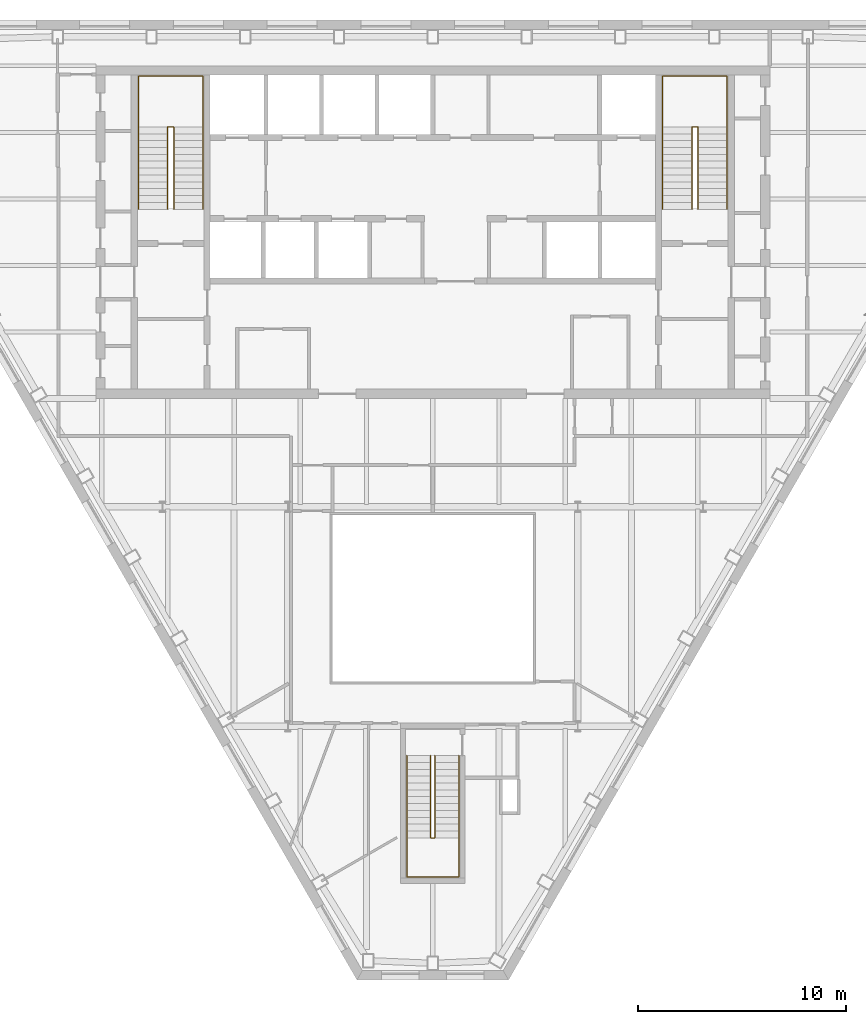
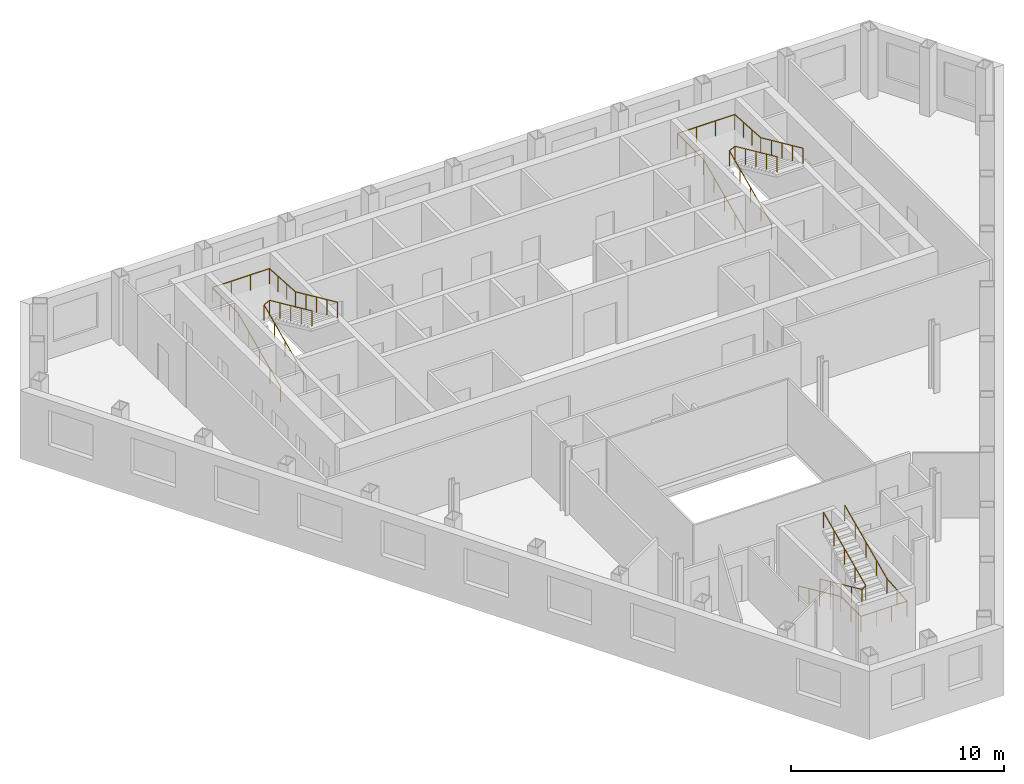
# One storey, part 11 of 11: 6 railings.
"""IFC4 building model written with IfcOpenShell, lengths in metres."""

from ifc_helpers import new_model, si_unit, direction, frame, origin, origin_2d, place, context, subcontext, project, spatial, circle, extrude, material, type_object, element, save


model = new_model("IFC4")

# Units and contexts
model_context = context("Model", 3, precision=1e-05, world=origin(), true_north=direction((0.0, 1.0)))
body_context = subcontext(model_context, "Body", "Model", "MODEL_VIEW")
ifc_project = project(units=[si_unit("LENGTHUNIT", "METRE"), si_unit("AREAUNIT", "SQUARE_METRE"), si_unit("VOLUMEUNIT", "CUBIC_METRE"), si_unit("PLANEANGLEUNIT", "RADIAN"), si_unit("MASSUNIT", "GRAM", prefix="KILO")], contexts=[model_context])

# Site, building, storey
site_placement = place(None, origin())
site = spatial("IfcSite", under=ifc_project, at=site_placement, CompositionType="ELEMENT")
building_placement = place(site_placement, origin())
building = spatial("IfcBuilding", under=site, at=building_placement, Name="Njiva Tower", CompositionType="ELEMENT")
storey_placement = place(building_placement, frame((0.0, 0.0, 208.2)))
storey = spatial("IfcBuildingStorey", under=building, at=storey_placement, Name="L46", CompositionType="ELEMENT", Elevation=208.2)

# Railings
ifc_material = material(Name="Stainless steel", Category="steel")
railing_type = type_object("IfcRailingType", Name="RL1 Stair handrail 900", PredefinedType="HANDRAIL", material=ifc_material)
railing_1_placement = place(storey_placement, frame((-14.15, 11.1, 0.15)))
element("IfcRailing", 1, at=railing_1_placement, inside=storey, type_object=railing_type, Name="Stair A handrail", PredefinedType="HANDRAIL", context=body_context, shape_type="SweptSolid", body=[
    extrude(circle(Radius=0.024, at=origin_2d()), frame((0.0, 0.0, 0.876), z_axis=(0.0, 0.910366477463, 0.413802944301), x_axis=(-1.0, 0.0, 0.0)), (0.0, 0.0, 1.0), 4.3499),
    extrude(circle(Radius=0.024, at=origin_2d()), frame((0.0, 3.96, 2.676), z_axis=(0.0, 1.0, 0.0), x_axis=(-1.0, 0.0, 0.0)), (0.0, 0.0, 1.0), 2.44),
    extrude(circle(Radius=0.024, at=origin_2d()), frame((0.0, 6.4, 2.676), z_axis=(1.0, 0.0, 0.0), x_axis=(0.0, 1.0, 0.0)), (0.0, 0.0, 1.0), 3.1),
    extrude(circle(Radius=0.024, at=origin_2d()), frame((3.1, 6.4, 2.676), z_axis=(0.0, -0.998115726137, 0.061359573328), x_axis=(1.0, 0.0, 0.0)), (0.0, 0.0, 1.0), 2.4446),
    extrude(circle(Radius=0.024, at=origin_2d()), frame((3.1, 3.96, 2.826), z_axis=(0.0, -0.910366477463, 0.413802944301), x_axis=(1.0, 0.0, 0.0)), (0.0, 0.0, 1.0), 4.3499),
    extrude(circle(Radius=0.021, at=origin_2d()), origin(), (0.0, 0.0, 1.0), 0.852),
    extrude(circle(Radius=0.021, at=origin_2d()), frame((0.0, 0.99, 0.45)), (0.0, 0.0, 1.0), 0.852),
    extrude(circle(Radius=0.021, at=origin_2d()), frame((0.0, 1.98, 0.9)), (0.0, 0.0, 1.0), 0.852),
    extrude(circle(Radius=0.021, at=origin_2d()), frame((0.0, 2.97, 1.35)), (0.0, 0.0, 1.0), 0.852),
    extrude(circle(Radius=0.021, at=origin_2d()), frame((0.0, 3.96, 1.8)), (0.0, 0.0, 1.0), 0.852),
    extrude(circle(Radius=0.021, at=origin_2d()), frame((0.0, 4.7733, 1.8)), (0.0, 0.0, 1.0), 0.852),
    extrude(circle(Radius=0.021, at=origin_2d()), frame((0.0, 5.5867, 1.8)), (0.0, 0.0, 1.0), 0.852),
    extrude(circle(Radius=0.021, at=origin_2d()), frame((0.0, 6.4, 1.8)), (0.0, 0.0, 1.0), 0.852),
    extrude(circle(Radius=0.021, at=origin_2d()), frame((1.0333, 6.4, 1.8)), (0.0, 0.0, 1.0), 0.852),
    extrude(circle(Radius=0.021, at=origin_2d()), frame((2.0667, 6.4, 1.8)), (0.0, 0.0, 1.0), 0.852),
    extrude(circle(Radius=0.021, at=origin_2d()), frame((3.1, 6.4, 1.8)), (0.0, 0.0, 1.0), 0.852),
    extrude(circle(Radius=0.021, at=origin_2d()), frame((3.1, 5.5867, 1.85)), (0.0, 0.0, 1.0), 0.852),
    extrude(circle(Radius=0.021, at=origin_2d()), frame((3.1, 4.7733, 1.9)), (0.0, 0.0, 1.0), 0.852),
    extrude(circle(Radius=0.021, at=origin_2d()), frame((3.1, 3.96, 1.95)), (0.0, 0.0, 1.0), 0.852),
    extrude(circle(Radius=0.021, at=origin_2d()), frame((3.1, 2.97, 2.4)), (0.0, 0.0, 1.0), 0.852),
    extrude(circle(Radius=0.021, at=origin_2d()), frame((3.1, 1.98, 2.85)), (0.0, 0.0, 1.0), 0.852),
    extrude(circle(Radius=0.021, at=origin_2d()), frame((3.1, 0.99, 3.3)), (0.0, 0.0, 1.0), 0.852),
    extrude(circle(Radius=0.021, at=origin_2d()), frame((3.1, 0.0, 3.75)), (0.0, 0.0, 1.0), 0.852),
])
railing_2_placement = place(storey_placement, frame((-12.75, 11.1, 0.15)))
element("IfcRailing", 2, at=railing_2_placement, inside=storey, type_object=railing_type, Name="Stair A handrail", PredefinedType="HANDRAIL", context=body_context, shape_type="SweptSolid", body=[
    extrude(circle(Radius=0.024, at=origin_2d()), frame((0.0, 0.0, 0.876), z_axis=(0.0, 0.910366477463, 0.413802944301), x_axis=(-1.0, 0.0, 0.0)), (0.0, 0.0, 1.0), 4.3499),
    extrude(circle(Radius=0.024, at=origin_2d()), frame((0.0, 3.96, 2.676), z_axis=(0.894427191, 0.0, 0.4472135955), x_axis=(0.0, 1.0, 0.0)), (0.0, 0.0, 1.0), 0.3354),
    extrude(circle(Radius=0.024, at=origin_2d()), frame((0.3, 3.96, 2.826), z_axis=(0.0, -0.910366477463, 0.413802944301), x_axis=(1.0, 0.0, 0.0)), (0.0, 0.0, 1.0), 4.3499),
    extrude(circle(Radius=0.021, at=origin_2d()), origin(), (0.0, 0.0, 1.0), 0.852),
    extrude(circle(Radius=0.021, at=origin_2d()), frame((0.0, 0.99, 0.45)), (0.0, 0.0, 1.0), 0.852),
    extrude(circle(Radius=0.021, at=origin_2d()), frame((0.0, 1.98, 0.9)), (0.0, 0.0, 1.0), 0.852),
    extrude(circle(Radius=0.021, at=origin_2d()), frame((0.0, 2.97, 1.35)), (0.0, 0.0, 1.0), 0.852),
    extrude(circle(Radius=0.021, at=origin_2d()), frame((0.0, 3.96, 1.8)), (0.0, 0.0, 1.0), 0.852),
    extrude(circle(Radius=0.021, at=origin_2d()), frame((0.3, 3.96, 1.95)), (0.0, 0.0, 1.0), 0.852),
    extrude(circle(Radius=0.021, at=origin_2d()), frame((0.3, 2.97, 2.4)), (0.0, 0.0, 1.0), 0.852),
    extrude(circle(Radius=0.021, at=origin_2d()), frame((0.3, 1.98, 2.85)), (0.0, 0.0, 1.0), 0.852),
    extrude(circle(Radius=0.021, at=origin_2d()), frame((0.3, 0.99, 3.3)), (0.0, 0.0, 1.0), 0.852),
    extrude(circle(Radius=0.021, at=origin_2d()), frame((0.3, 0.0, 3.75)), (0.0, 0.0, 1.0), 0.852),
])
railing_3_placement = place(storey_placement, frame((11.05, 11.1, 0.15)))
element("IfcRailing", 3, at=railing_3_placement, inside=storey, type_object=railing_type, Name="Stair B handrail", PredefinedType="HANDRAIL", context=body_context, shape_type="SweptSolid", body=[
    extrude(circle(Radius=0.024, at=origin_2d()), frame((0.0, 0.0, 0.876), z_axis=(0.0, 0.910366477463, 0.413802944301), x_axis=(-1.0, 0.0, 0.0)), (0.0, 0.0, 1.0), 4.3499),
    extrude(circle(Radius=0.024, at=origin_2d()), frame((0.0, 3.96, 2.676), z_axis=(0.0, 1.0, 0.0), x_axis=(-1.0, 0.0, 0.0)), (0.0, 0.0, 1.0), 2.44),
    extrude(circle(Radius=0.024, at=origin_2d()), frame((0.0, 6.4, 2.676), z_axis=(1.0, 0.0, 0.0), x_axis=(0.0, 1.0, 0.0)), (0.0, 0.0, 1.0), 3.1),
    extrude(circle(Radius=0.024, at=origin_2d()), frame((3.1, 6.4, 2.676), z_axis=(0.0, -0.998115726137, 0.061359573328), x_axis=(1.0, 0.0, 0.0)), (0.0, 0.0, 1.0), 2.4446),
    extrude(circle(Radius=0.024, at=origin_2d()), frame((3.1, 3.96, 2.826), z_axis=(0.0, -0.910366477463, 0.413802944301), x_axis=(1.0, 0.0, 0.0)), (0.0, 0.0, 1.0), 4.3499),
    extrude(circle(Radius=0.021, at=origin_2d()), origin(), (0.0, 0.0, 1.0), 0.852),
    extrude(circle(Radius=0.021, at=origin_2d()), frame((0.0, 0.99, 0.45)), (0.0, 0.0, 1.0), 0.852),
    extrude(circle(Radius=0.021, at=origin_2d()), frame((0.0, 1.98, 0.9)), (0.0, 0.0, 1.0), 0.852),
    extrude(circle(Radius=0.021, at=origin_2d()), frame((0.0, 2.97, 1.35)), (0.0, 0.0, 1.0), 0.852),
    extrude(circle(Radius=0.021, at=origin_2d()), frame((0.0, 3.96, 1.8)), (0.0, 0.0, 1.0), 0.852),
    extrude(circle(Radius=0.021, at=origin_2d()), frame((0.0, 4.7733, 1.8)), (0.0, 0.0, 1.0), 0.852),
    extrude(circle(Radius=0.021, at=origin_2d()), frame((0.0, 5.5867, 1.8)), (0.0, 0.0, 1.0), 0.852),
    extrude(circle(Radius=0.021, at=origin_2d()), frame((0.0, 6.4, 1.8)), (0.0, 0.0, 1.0), 0.852),
    extrude(circle(Radius=0.021, at=origin_2d()), frame((1.0333, 6.4, 1.8)), (0.0, 0.0, 1.0), 0.852),
    extrude(circle(Radius=0.021, at=origin_2d()), frame((2.0667, 6.4, 1.8)), (0.0, 0.0, 1.0), 0.852),
    extrude(circle(Radius=0.021, at=origin_2d()), frame((3.1, 6.4, 1.8)), (0.0, 0.0, 1.0), 0.852),
    extrude(circle(Radius=0.021, at=origin_2d()), frame((3.1, 5.5867, 1.85)), (0.0, 0.0, 1.0), 0.852),
    extrude(circle(Radius=0.021, at=origin_2d()), frame((3.1, 4.7733, 1.9)), (0.0, 0.0, 1.0), 0.852),
    extrude(circle(Radius=0.021, at=origin_2d()), frame((3.1, 3.96, 1.95)), (0.0, 0.0, 1.0), 0.852),
    extrude(circle(Radius=0.021, at=origin_2d()), frame((3.1, 2.97, 2.4)), (0.0, 0.0, 1.0), 0.852),
    extrude(circle(Radius=0.021, at=origin_2d()), frame((3.1, 1.98, 2.85)), (0.0, 0.0, 1.0), 0.852),
    extrude(circle(Radius=0.021, at=origin_2d()), frame((3.1, 0.99, 3.3)), (0.0, 0.0, 1.0), 0.852),
    extrude(circle(Radius=0.021, at=origin_2d()), frame((3.1, 0.0, 3.75)), (0.0, 0.0, 1.0), 0.852),
])
railing_4_placement = place(storey_placement, frame((12.45, 11.1, 0.15)))
element("IfcRailing", 4, at=railing_4_placement, inside=storey, type_object=railing_type, Name="Stair B handrail", PredefinedType="HANDRAIL", context=body_context, shape_type="SweptSolid", body=[
    extrude(circle(Radius=0.024, at=origin_2d()), frame((0.0, 0.0, 0.876), z_axis=(0.0, 0.910366477463, 0.413802944301), x_axis=(-1.0, 0.0, 0.0)), (0.0, 0.0, 1.0), 4.3499),
    extrude(circle(Radius=0.024, at=origin_2d()), frame((0.0, 3.96, 2.676), z_axis=(0.894427191, 0.0, 0.4472135955), x_axis=(0.0, 1.0, 0.0)), (0.0, 0.0, 1.0), 0.3354),
    extrude(circle(Radius=0.024, at=origin_2d()), frame((0.3, 3.96, 2.826), z_axis=(0.0, -0.910366477463, 0.413802944301), x_axis=(1.0, 0.0, 0.0)), (0.0, 0.0, 1.0), 4.3499),
    extrude(circle(Radius=0.021, at=origin_2d()), origin(), (0.0, 0.0, 1.0), 0.852),
    extrude(circle(Radius=0.021, at=origin_2d()), frame((0.0, 0.99, 0.45)), (0.0, 0.0, 1.0), 0.852),
    extrude(circle(Radius=0.021, at=origin_2d()), frame((0.0, 1.98, 0.9)), (0.0, 0.0, 1.0), 0.852),
    extrude(circle(Radius=0.021, at=origin_2d()), frame((0.0, 2.97, 1.35)), (0.0, 0.0, 1.0), 0.852),
    extrude(circle(Radius=0.021, at=origin_2d()), frame((0.0, 3.96, 1.8)), (0.0, 0.0, 1.0), 0.852),
    extrude(circle(Radius=0.021, at=origin_2d()), frame((0.3, 3.96, 1.95)), (0.0, 0.0, 1.0), 0.852),
    extrude(circle(Radius=0.021, at=origin_2d()), frame((0.3, 2.97, 2.4)), (0.0, 0.0, 1.0), 0.852),
    extrude(circle(Radius=0.021, at=origin_2d()), frame((0.3, 1.98, 2.85)), (0.0, 0.0, 1.0), 0.852),
    extrude(circle(Radius=0.021, at=origin_2d()), frame((0.3, 0.99, 3.3)), (0.0, 0.0, 1.0), 0.852),
    extrude(circle(Radius=0.021, at=origin_2d()), frame((0.3, 0.0, 3.75)), (0.0, 0.0, 1.0), 0.852),
])
railing_5_placement = place(storey_placement, frame((-1.25, -15.16, 0.15)))
element("IfcRailing", 5, at=railing_5_placement, inside=storey, type_object=railing_type, Name="Stair C handrail", PredefinedType="HANDRAIL", context=body_context, shape_type="SweptSolid", body=[
    extrude(circle(Radius=0.024, at=origin_2d()), frame((0.0, 0.0, 0.876), z_axis=(0.0, -0.910366477463, 0.413802944301), x_axis=(1.0, 0.0, 0.0)), (0.0, 0.0, 1.0), 4.3499),
    extrude(circle(Radius=0.024, at=origin_2d()), frame((0.0, -3.96, 2.676), z_axis=(0.0, -1.0, 0.0), x_axis=(1.0, 0.0, 0.0)), (0.0, 0.0, 1.0), 1.88),
    extrude(circle(Radius=0.024, at=origin_2d()), frame((0.0, -5.84, 2.676), z_axis=(1.0, 0.0, 0.0), x_axis=(0.0, 1.0, 0.0)), (0.0, 0.0, 1.0), 2.5),
    extrude(circle(Radius=0.024, at=origin_2d()), frame((2.5, -5.84, 2.676), z_axis=(0.0, 0.996832115713, 0.079534477318), x_axis=(-1.0, 0.0, 0.0)), (0.0, 0.0, 1.0), 1.886),
    extrude(circle(Radius=0.024, at=origin_2d()), frame((2.5, -3.96, 2.826), z_axis=(0.0, 0.910366477463, 0.413802944301), x_axis=(-1.0, 0.0, 0.0)), (0.0, 0.0, 1.0), 4.3499),
    extrude(circle(Radius=0.021, at=origin_2d()), origin(), (0.0, 0.0, 1.0), 0.852),
    extrude(circle(Radius=0.021, at=origin_2d()), frame((0.0, -0.99, 0.45)), (0.0, 0.0, 1.0), 0.852),
    extrude(circle(Radius=0.021, at=origin_2d()), frame((0.0, -1.98, 0.9)), (0.0, 0.0, 1.0), 0.852),
    extrude(circle(Radius=0.021, at=origin_2d()), frame((0.0, -2.97, 1.35)), (0.0, 0.0, 1.0), 0.852),
    extrude(circle(Radius=0.021, at=origin_2d()), frame((0.0, -3.96, 1.8)), (0.0, 0.0, 1.0), 0.852),
    extrude(circle(Radius=0.021, at=origin_2d()), frame((0.0, -4.9, 1.8)), (0.0, 0.0, 1.0), 0.852),
    extrude(circle(Radius=0.021, at=origin_2d()), frame((0.0, -5.84, 1.8)), (0.0, 0.0, 1.0), 0.852),
    extrude(circle(Radius=0.021, at=origin_2d()), frame((0.8333, -5.84, 1.8)), (0.0, 0.0, 1.0), 0.852),
    extrude(circle(Radius=0.021, at=origin_2d()), frame((1.6667, -5.84, 1.8)), (0.0, 0.0, 1.0), 0.852),
    extrude(circle(Radius=0.021, at=origin_2d()), frame((2.5, -5.84, 1.8)), (0.0, 0.0, 1.0), 0.852),
    extrude(circle(Radius=0.021, at=origin_2d()), frame((2.5, -4.9, 1.875)), (0.0, 0.0, 1.0), 0.852),
    extrude(circle(Radius=0.021, at=origin_2d()), frame((2.5, -3.96, 1.95)), (0.0, 0.0, 1.0), 0.852),
    extrude(circle(Radius=0.021, at=origin_2d()), frame((2.5, -2.97, 2.4)), (0.0, 0.0, 1.0), 0.852),
    extrude(circle(Radius=0.021, at=origin_2d()), frame((2.5, -1.98, 2.85)), (0.0, 0.0, 1.0), 0.852),
    extrude(circle(Radius=0.021, at=origin_2d()), frame((2.5, -0.99, 3.3)), (0.0, 0.0, 1.0), 0.852),
    extrude(circle(Radius=0.021, at=origin_2d()), frame((2.5, 0.0, 3.75)), (0.0, 0.0, 1.0), 0.852),
])
railing_6_placement = place(storey_placement, frame((-0.1, -15.16, 0.15)))
element("IfcRailing", 6, at=railing_6_placement, inside=storey, type_object=railing_type, Name="Stair C handrail", PredefinedType="HANDRAIL", context=body_context, shape_type="SweptSolid", body=[
    extrude(circle(Radius=0.024, at=origin_2d()), frame((0.0, 0.0, 0.876), z_axis=(0.0, -0.910366477463, 0.413802944301), x_axis=(1.0, 0.0, 0.0)), (0.0, 0.0, 1.0), 4.3499),
    extrude(circle(Radius=0.024, at=origin_2d()), frame((0.0, -3.96, 2.676), z_axis=(0.8, 0.0, 0.6), x_axis=(0.0, 1.0, 0.0)), (0.0, 0.0, 1.0), 0.25),
    extrude(circle(Radius=0.024, at=origin_2d()), frame((0.2, -3.96, 2.826), z_axis=(0.0, 0.910366477463, 0.413802944301), x_axis=(-1.0, 0.0, 0.0)), (0.0, 0.0, 1.0), 4.3499),
    extrude(circle(Radius=0.021, at=origin_2d()), origin(), (0.0, 0.0, 1.0), 0.852),
    extrude(circle(Radius=0.021, at=origin_2d()), frame((0.0, -0.99, 0.45)), (0.0, 0.0, 1.0), 0.852),
    extrude(circle(Radius=0.021, at=origin_2d()), frame((0.0, -1.98, 0.9)), (0.0, 0.0, 1.0), 0.852),
    extrude(circle(Radius=0.021, at=origin_2d()), frame((0.0, -2.97, 1.35)), (0.0, 0.0, 1.0), 0.852),
    extrude(circle(Radius=0.021, at=origin_2d()), frame((0.0, -3.96, 1.8)), (0.0, 0.0, 1.0), 0.852),
    extrude(circle(Radius=0.021, at=origin_2d()), frame((0.2, -3.96, 1.95)), (0.0, 0.0, 1.0), 0.852),
    extrude(circle(Radius=0.021, at=origin_2d()), frame((0.2, -2.97, 2.4)), (0.0, 0.0, 1.0), 0.852),
    extrude(circle(Radius=0.021, at=origin_2d()), frame((0.2, -1.98, 2.85)), (0.0, 0.0, 1.0), 0.852),
    extrude(circle(Radius=0.021, at=origin_2d()), frame((0.2, -0.99, 3.3)), (0.0, 0.0, 1.0), 0.852),
    extrude(circle(Radius=0.021, at=origin_2d()), frame((0.2, 0.0, 3.75)), (0.0, 0.0, 1.0), 0.852),
])

save(model, "model.ifc")
